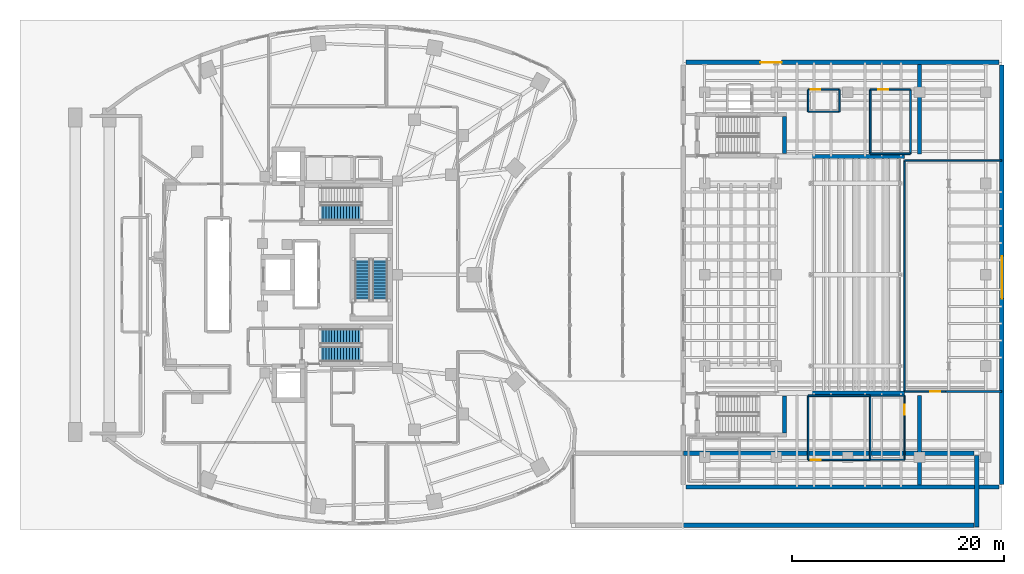
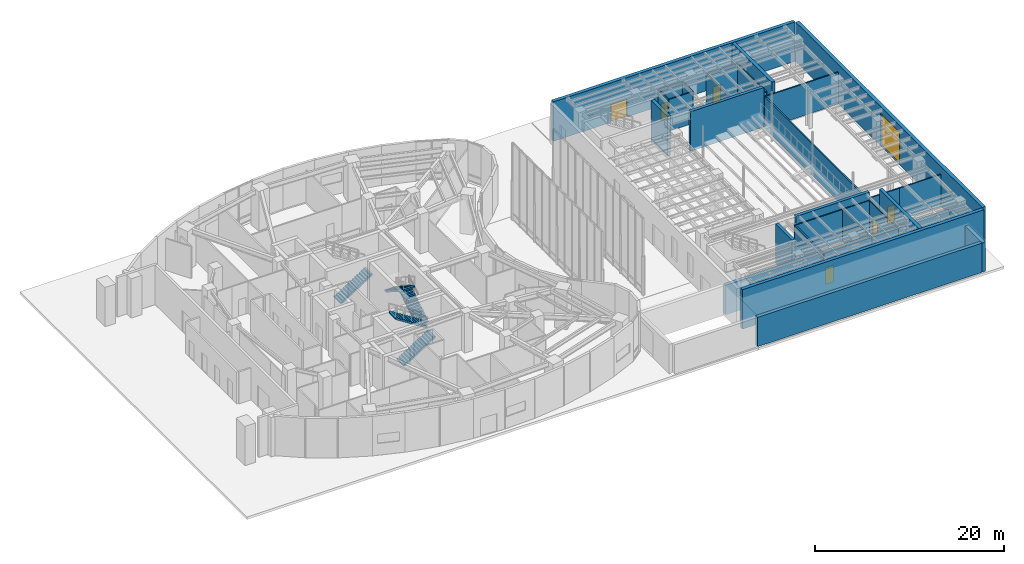
# One storey, part 22 of 28: 31 walls, 7 doors, 5 stair flights, 7 openings, 3 elements without a shape of their own.
"""IFC4 building model written with IfcOpenShell, lengths in metres."""

from ifc_helpers import new_model, si_unit, direction, frame, frame_2d, origin, place, context, subcontext, project, spatial, polyline, rectangle, outline, extrude, material, layer, layer_set, type_object, element, fill, aggregate, save


model = new_model("IFC4")

# Units and contexts
model_context = context("Model", 3, precision=1e-05, world=origin(), true_north=direction((0.0, 1.0)))
body_context = subcontext(model_context, "Body", "Model", "MODEL_VIEW")
ifc_project = project(units=[si_unit("LENGTHUNIT", "METRE"), si_unit("AREAUNIT", "SQUARE_METRE"), si_unit("VOLUMEUNIT", "CUBIC_METRE"), si_unit("PLANEANGLEUNIT", "RADIAN"), si_unit("MASSUNIT", "GRAM", prefix="KILO")], contexts=[model_context])

# Site, building, storey
site_placement = place(None, origin())
site = spatial("IfcSite", under=ifc_project, at=site_placement, CompositionType="ELEMENT")
building_placement = place(site_placement, origin())
building = spatial("IfcBuilding", under=site, at=building_placement, Name="Korentha Bioscience Tower", CompositionType="ELEMENT")
storey_placement = place(building_placement, origin())
storey = spatial("IfcBuildingStorey", under=building, at=storey_placement, Name="L00", CompositionType="ELEMENT", Elevation=0.0)

# Wall, opening, door
ifc_material_1 = material(Name="Double-Stud Acoustic Gypsum", Category="gypsum")
ifc_layer_1 = layer(ifc_material_1, 0.14990234375, Name="Double-Stud Acoustic Gypsum")
ifc_layer_set_1 = layer_set([ifc_layer_1], Name="Double-Stud Acoustic Gypsum (IW-L150)")
wall_type_1 = type_object("IfcWallType", Name="Acoustic Laboratory Partition Wall 150", PredefinedType="PARTITIONING", material=ifc_layer_set_1)
wall_1_placement = place(storey_placement, frame((82.10009765625, 9.56005859375, 0.0), z_axis=(0.0, 0.0, 1.0), x_axis=(-1.0, 0.0, 0.0)))
wall_1 = element("IfcWall", 1, at=wall_1_placement, inside=storey, type_object=wall_type_1, Name="L00 L00 Soloists' Dressing Suite Entrance Wall", PredefinedType="PARTITIONING", context=body_context, shape_type="SweptSolid", body=[
    extrude(rectangle(XDim=5.85009765625, YDim=0.14990234375, at=frame_2d((2.925048828125, 0.0))), origin(), (0.0, 0.0, 1.0), 4.110107421875),
])
opening_1_placement = place(wall_1_placement, frame((4.659912109375, 0.0, 0.0)))
opening_1 = element("IfcOpeningElement", 2, at=opening_1_placement, cuts=wall_1, Name="Opening ID-10R", PredefinedType="OPENING", context=body_context, shape_type="SweptSolid", body=[
    extrude(rectangle(XDim=0.949951171875, YDim=2.14990234375, at=frame_2d((0.47509765625, 1.074951171875))), frame((0.0, 0.08984375, 0.0), z_axis=(0.0, -1.0, 0.0), x_axis=(1.0, 0.0, 0.0)), (0.0, 0.0, 1.0), 0.1796875),
])
ifc_material_2 = material(Name="Phenolic Laminate Timber Core", Category="wood")
door_type_1 = type_object("IfcDoorType", Name="Laboratory Single Leaf Door 950x2150 Right", OperationType="SINGLE_SWING_RIGHT", PredefinedType="DOOR", material=ifc_material_2)
door_1_placement = place(opening_1_placement, origin())
door_1 = element("IfcDoor", 3, at=door_1_placement, inside=storey, type_object=door_type_1, Name="L00 L00 Soloists' Dressing Suite Door", OperationType="SINGLE_SWING_RIGHT", OverallHeight=2.14990234375, OverallWidth=0.949951171875, PredefinedType="DOOR", context=body_context, shape_type="SweptSolid", body=[
    extrude(rectangle(XDim=0.949951171875, YDim=2.14990234375, at=frame_2d((0.47509765625, 1.074951171875))), frame((0.0, 0.02490234375, 0.0), z_axis=(0.0, -1.0, 0.0), x_axis=(1.0, 0.0, 0.0)), (0.0, 0.0, 1.0), 0.050048828125),
])
fill(opening_1, door_1)

wall_2_placement = place(storey_placement, frame((89.199951171875, 16.010009765625, 0.0), z_axis=(0.0, 0.0, 1.0), x_axis=(-1.0, 0.0, 0.0)))
wall_2 = element("IfcWall", 4, at=wall_2_placement, inside=storey, type_object=wall_type_1, Name="L00 Main Lyric Auditorium Stage and Orchestra Pit Entrance Wall", PredefinedType="PARTITIONING", context=body_context, shape_type="SweptSolid", body=[
    extrude(rectangle(XDim=3.849853515625, YDim=0.14990234375, at=frame_2d((1.9248046875, 0.0))), origin(), (0.0, 0.0, 1.0), 4.110107421875),
])
opening_2_placement = place(wall_2_placement, frame((0.493408203125, 0.0, 0.0)))
opening_2 = element("IfcOpeningElement", 5, at=opening_2_placement, cuts=wall_2, Name="Opening ID-10L", PredefinedType="OPENING", context=body_context, shape_type="SweptSolid", body=[
    extrude(rectangle(XDim=0.949951171875, YDim=2.14990234375, at=frame_2d((0.47509765625, 1.074951171875))), frame((0.0, 0.08984375, 0.0), z_axis=(0.0, -1.0, 0.0), x_axis=(1.0, 0.0, 0.0)), (0.0, 0.0, 1.0), 0.1796875),
])
door_type_2 = type_object("IfcDoorType", Name="Laboratory Single Leaf Door 950x2150 Left", OperationType="SINGLE_SWING_LEFT", PredefinedType="DOOR", material=ifc_material_2)
door_2_placement = place(opening_2_placement, origin())
door_2 = element("IfcDoor", 6, at=door_2_placement, inside=storey, type_object=door_type_2, Name="L00 Main Lyric Auditorium Stage and Orchestra Pit Door", OperationType="SINGLE_SWING_LEFT", OverallHeight=2.14990234375, OverallWidth=0.949951171875, PredefinedType="DOOR", context=body_context, shape_type="SweptSolid", body=[
    extrude(rectangle(XDim=0.949951171875, YDim=2.14990234375, at=frame_2d((0.47509765625, 1.074951171875))), frame((0.0, 0.02490234375, 0.0), z_axis=(0.0, -1.0, 0.0), x_axis=(1.0, 0.0, 0.0)), (0.0, 0.0, 1.0), 0.050048828125),
])
fill(opening_2, door_2)

# Walls
for number, where, z_axis, x_axis, name in (
    (7, (82.10009765625, 15.60009765625, 0.0), (0.0, 0.0, 1.0), (0.0, -1.0, 0.0), "L00 Interior Partition 060"),
    (8, (76.25, 9.56005859375, 0.0), (0.0, 0.0, 1.0), (0.0, 1.0, 0.0), "L00 Interior Partition 061"),
):
    element("IfcWall", number, at=place(storey_placement, frame(where, z_axis=z_axis, x_axis=x_axis)), inside=storey, type_object=wall_type_1, Name=name, PredefinedType="PARTITIONING", context=body_context, shape_type="SweptSolid", body=[
        extrude(rectangle(XDim=6.0400390625, YDim=0.14990234375, at=frame_2d((3.02001953125, 0.0))), origin(), (0.0, 0.0, 1.0), 4.110107421875),
    ])
wall_3_placement = place(storey_placement, frame((76.25, 15.60009765625, 0.0), z_axis=(0.0, 0.0, 1.0), x_axis=(1.0, 0.0, 0.0)))
element("IfcWall", 9, at=wall_3_placement, inside=storey, type_object=wall_type_1, Name="L00 Interior Partition 062", PredefinedType="PARTITIONING", context=body_context, shape_type="SweptSolid", body=[
    extrude(rectangle(XDim=5.85009765625, YDim=0.14990234375, at=frame_2d((2.925048828125, 0.0))), origin(), (0.0, 0.0, 1.0), 4.110107421875),
])
wall_4_placement = place(storey_placement, frame((94.47998046875, 16.0, 0.0), z_axis=(0.0, 0.0, 1.0), x_axis=(-1.0, 0.0, 0.0)))
element("IfcWall", 10, at=wall_4_placement, inside=storey, type_object=wall_type_1, Name="L00 Interior Partition 068", PredefinedType="PARTITIONING", context=body_context, shape_type="SweptSolid", body=[
    extrude(rectangle(XDim=5.27001953125, YDim=0.14990234375, at=frame_2d((2.635009765625, 0.0))), origin(), (0.0, 0.0, 1.0), 4.110107421875),
])
wall_5_placement = place(storey_placement, frame((85.35009765625, 16.010009765625, 0.0), z_axis=(0.0, 0.0, 1.0), x_axis=(0.0, 1.0, 0.0)))
element("IfcWall", 11, at=wall_5_placement, inside=storey, type_object=wall_type_1, Name="L00 Interior Partition 069", PredefinedType="PARTITIONING", context=body_context, shape_type="SweptSolid", body=[
    extrude(rectangle(XDim=21.739990234375, YDim=0.14990234375, at=frame_2d((10.8701171875, 0.0))), origin(), (0.0, 0.0, 1.0), 4.110107421875),
])
wall_6_placement = place(storey_placement, frame((85.35009765625, 37.75, 0.0), z_axis=(0.0, 0.0, 1.0), x_axis=(1.0, 0.0, 0.0)))
element("IfcWall", 12, at=wall_6_placement, inside=storey, type_object=wall_type_1, Name="L00 Interior Partition 070", PredefinedType="PARTITIONING", context=body_context, shape_type="SweptSolid", body=[
    extrude(rectangle(XDim=9.1298828125, YDim=0.14990234375, at=frame_2d((4.56494140625, 0.0))), origin(), (0.0, 0.0, 1.0), 4.110107421875),
])

# Wall, opening, door
ifc_material_3 = material(Name="Fire-Rated Framed Glass", Category="glass")
ifc_layer_2 = layer(ifc_material_3, 0.110107421875, Name="Fire-Rated Framed Glass")
ifc_layer_set_2 = layer_set([ifc_layer_2], Name="Fire-Rated Framed Glass (IW-G110)")
wall_type_2 = type_object("IfcWallType", Name="Demountable Glazed Office Partition 110", PredefinedType="MOVABLE", material=ifc_layer_set_2)
wall_7_placement = place(storey_placement, frame((85.340087890625, 15.60009765625, 0.0), z_axis=(0.0, 0.0, 1.0), x_axis=(0.0, -1.0, 0.0)))
wall_7 = element("IfcWall", 13, at=wall_7_placement, inside=storey, type_object=wall_type_2, Name="L00 L00 Ensemble Rehearsal Studio Entrance Wall", PredefinedType="MOVABLE", context=body_context, shape_type="SweptSolid", body=[
    extrude(rectangle(XDim=6.0400390625, YDim=0.110107421875, at=frame_2d((3.02001953125, 0.0))), origin(), (0.0, 0.0, 1.0), 4.110107421875),
])
opening_3_placement = place(wall_7_placement, frame((0.84130859375, 0.0, 0.0)))
opening_3 = element("IfcOpeningElement", 14, at=opening_3_placement, cuts=wall_7, Name="Opening ID-10L", PredefinedType="OPENING", context=body_context, shape_type="SweptSolid", body=[
    extrude(rectangle(XDim=0.949951171875, YDim=2.14990234375, at=frame_2d((0.47509765625, 1.074951171875))), frame((0.0, 0.06982421875, 0.0), z_axis=(0.0, -1.0, 0.0), x_axis=(1.0, 0.0, 0.0)), (0.0, 0.0, 1.0), 0.139892578125),
])
door_3_placement = place(opening_3_placement, origin())
door_3 = element("IfcDoor", 15, at=door_3_placement, inside=storey, type_object=door_type_2, Name="L00 L00 Ensemble Rehearsal Studio Door", OperationType="SINGLE_SWING_LEFT", OverallHeight=2.14990234375, OverallWidth=0.949951171875, PredefinedType="DOOR", context=body_context, shape_type="SweptSolid", body=[
    extrude(rectangle(XDim=0.949951171875, YDim=2.14990234375, at=frame_2d((0.47509765625, 1.074951171875))), frame((0.0, 0.02490234375, 0.0), z_axis=(0.0, -1.0, 0.0), x_axis=(1.0, 0.0, 0.0)), (0.0, 0.0, 1.0), 0.050048828125),
])
fill(opening_3, door_3)

# Walls
for number, where, z_axis, x_axis, name in (
    (16, (85.340087890625, 9.56005859375, 0.0), (0.0, 0.0, 1.0), (-1.0, 0.0, 0.0), "L00 Interior Partition 063"),
    (17, (82.110107421875, 15.60009765625, 0.0), (0.0, 0.0, 1.0), (1.0, 0.0, 0.0), "L00 Interior Partition 064"),
):
    element("IfcWall", number, at=place(storey_placement, frame(where, z_axis=z_axis, x_axis=x_axis)), inside=storey, type_object=wall_type_2, Name=name, PredefinedType="MOVABLE", context=body_context, shape_type="SweptSolid", body=[
        extrude(rectangle(XDim=3.22998046875, YDim=0.110107421875, at=frame_2d((1.614990234375, 0.0))), origin(), (0.0, 0.0, 1.0), 4.110107421875),
    ])

# Wall, opening, door
ifc_material_4 = material(Name="Gypsum-Clad Steel Stud", Category="steel")
ifc_layer_3 = layer(ifc_material_4, 0.159912109375, Name="Gypsum-Clad Steel Stud")
ifc_layer_set_3 = layer_set([ifc_layer_3], Name="Gypsum-Clad Steel Stud (IW-C160)")
wall_type_3 = type_object("IfcWallType", Name="Fire-Rated Corridor Partition Wall 160", PredefinedType="PARTITIONING", material=ifc_layer_set_3)
wall_8_placement = place(storey_placement, frame((82.10009765625, 44.43994140625, 0.0), z_axis=(0.0, 0.0, 1.0), x_axis=(1.0, 0.0, 0.0)))
wall_8 = element("IfcWall", 18, at=wall_8_placement, inside=storey, type_object=wall_type_3, Name="L00 L00 Stage Lighting Dimmer Store Entrance Wall", PredefinedType="PARTITIONING", context=body_context, shape_type="SweptSolid", body=[
    extrude(rectangle(XDim=3.7998046875, YDim=0.159912109375, at=frame_2d((1.89990234375, 0.0))), origin(), (0.0, 0.0, 1.0), 4.110107421875),
])
opening_4_placement = place(wall_8_placement, frame((0.755615234375, 0.0, 0.0)))
opening_4 = element("IfcOpeningElement", 19, at=opening_4_placement, cuts=wall_8, Name="Opening ID-10R", PredefinedType="OPENING", context=body_context, shape_type="SweptSolid", body=[
    extrude(rectangle(XDim=0.949951171875, YDim=2.14990234375, at=frame_2d((0.47509765625, 1.074951171875))), frame((0.0, 0.0947265625, 0.0), z_axis=(0.0, -1.0, 0.0), x_axis=(1.0, 0.0, 0.0)), (0.0, 0.0, 1.0), 0.189697265625),
])
door_4_placement = place(opening_4_placement, origin())
door_4 = element("IfcDoor", 20, at=door_4_placement, inside=storey, type_object=door_type_1, Name="L00 L00 Stage Lighting Dimmer Store Door", OperationType="SINGLE_SWING_RIGHT", OverallHeight=2.14990234375, OverallWidth=0.949951171875, PredefinedType="DOOR", context=body_context, shape_type="SweptSolid", body=[
    extrude(rectangle(XDim=0.949951171875, YDim=2.14990234375, at=frame_2d((0.47509765625, 1.074951171875))), frame((0.0, 0.02490234375, 0.0), z_axis=(0.0, -1.0, 0.0), x_axis=(1.0, 0.0, 0.0)), (0.0, 0.0, 1.0), 0.050048828125),
])
fill(opening_4, door_4)

# Walls
wall_9_placement = place(storey_placement, frame((85.89990234375, 38.39990234375, 0.0), z_axis=(0.0, 0.0, 1.0), x_axis=(-1.0, 0.0, 0.0)))
element("IfcWall", 21, at=wall_9_placement, inside=storey, type_object=wall_type_3, Name="L00 Interior Partition 065", PredefinedType="PARTITIONING", context=body_context, shape_type="SweptSolid", body=[
    extrude(rectangle(XDim=3.7998046875, YDim=0.159912109375, at=frame_2d((1.89990234375, 0.0))), origin(), (0.0, 0.0, 1.0), 4.110107421875),
])
for number, where, z_axis, x_axis, name in (
    (22, (82.10009765625, 38.39990234375, 0.0), (0.0, 0.0, 1.0), (0.0, 1.0, 0.0), "L00 Interior Partition 066"),
    (23, (85.89990234375, 44.43994140625, 0.0), (0.0, 0.0, 1.0), (0.0, -1.0, 0.0), "L00 Interior Partition 067"),
):
    element("IfcWall", number, at=place(storey_placement, frame(where, z_axis=z_axis, x_axis=x_axis)), inside=storey, type_object=wall_type_3, Name=name, PredefinedType="PARTITIONING", context=body_context, shape_type="SweptSolid", body=[
        extrude(rectangle(XDim=6.0400390625, YDim=0.159912109375, at=frame_2d((3.02001953125, 0.0))), origin(), (0.0, 0.0, 1.0), 4.110107421875),
    ])
ifc_material_5 = material(Name="Concrete C50", Category="concrete")
ifc_layer_4 = layer(ifc_material_5, 0.419921875, Name="Concrete C50")
ifc_layer_set_4 = layer_set([ifc_layer_4], Name="Concrete C50 (TW-E420)")
wall_type_4 = type_object("IfcWallType", Name="Theatre Acoustic Shear Wall 420", PredefinedType="SHEAR", material=ifc_layer_set_4)
for number, where, z_axis, x_axis, name in (
    (24, (64.5, 10.199951171875, 0.0), (0.0, 0.0, 1.0), (1.0, 0.0, 0.0), "L00 Vehicle Ramp Enclosure Wall NE"),
    (25, (64.5, 3.39990234375, 0.0), (0.0, 0.0, 1.0), (1.0, 0.0, 0.0), "L00 Vehicle Ramp Enclosure Wall SE"),
):
    element("IfcWall", number, at=place(storey_placement, frame(where, z_axis=z_axis, x_axis=x_axis)), inside=storey, type_object=wall_type_4, Name=name, PredefinedType="SHEAR", context=body_context, shape_type="SweptSolid", body=[
        extrude(rectangle(XDim=27.39990234375, YDim=0.419921875, at=frame_2d((13.699951171875, 0.0))), origin(), (0.0, 0.0, 1.0), 3.800048828125),
    ])
wall_10_placement = place(storey_placement, frame((92.14990234375, 3.22509765625, 0.0), z_axis=(0.0, 0.0, 1.0), x_axis=(0.0, 1.0, 0.0)))
element("IfcWall", 26, at=wall_10_placement, inside=storey, type_object=wall_type_4, Name="L00 Vehicle Ramp Enclosure Wall E", PredefinedType="SHEAR", context=body_context, shape_type="SweptSolid", body=[
    extrude(rectangle(XDim=6.724853515625, YDim=0.419921875, at=frame_2d((3.3623046875, 0.0))), origin(), (0.0, 0.0, 1.0), 3.800048828125),
])

# Wall, opening, door
wall_11_placement = place(storey_placement, frame((64.75, 47.0, 0.0), z_axis=(0.0, 0.0, 1.0), x_axis=(1.0, 0.0, 0.0)))
wall_11 = element("IfcWall", 27, at=wall_11_placement, inside=storey, type_object=wall_type_4, Name="L00 Theatre Acoustic Shear Wall N", PredefinedType="SHEAR", context=body_context, shape_type="SweptSolid", body=[
    extrude(rectangle(XDim=29.5, YDim=0.419921875, at=frame_2d((14.75, 0.0))), origin(), (0.0, 0.0, 1.0), 5.10009765625),
])
opening_5_placement = place(wall_11_placement, frame((7.0, 0.0, 0.0)))
opening_5 = element("IfcOpeningElement", 28, at=opening_5_placement, cuts=wall_11, Name="Opening ED-20F", PredefinedType="OPENING", context=body_context, shape_type="SweptSolid", body=[
    extrude(rectangle(XDim=2.0, YDim=2.300048828125, at=frame_2d((1.0, 1.14990234375))), frame((0.0, 0.224853515625, 0.0), z_axis=(0.0, -1.0, 0.0), x_axis=(1.0, 0.0, 0.0)), (0.0, 0.0, 1.0), 0.44970703125),
])
ifc_material_6 = material(Name="Powder-Coated Steel Leaf", Category="steel")
door_type_3 = type_object("IfcDoorType", Name="Fire Exit Discharge Double Door 2000x2300", OperationType="DOUBLE_DOOR_SINGLE_SWING", PredefinedType="DOOR", material=ifc_material_6)
door_5_placement = place(opening_5_placement, origin())
door_5 = element("IfcDoor", 29, at=door_5_placement, inside=storey, type_object=door_type_3, Name="Civic Theatre North Foyer Final Exit Door", OperationType="DOUBLE_DOOR_SINGLE_SWING", OverallHeight=2.300048828125, OverallWidth=2.0, PredefinedType="DOOR", context=body_context, shape_type="SweptSolid", body=[
    extrude(rectangle(XDim=2.0, YDim=2.300048828125, at=frame_2d((1.0, 1.14990234375))), frame((0.0, 0.02490234375, 0.0), z_axis=(0.0, -1.0, 0.0), x_axis=(1.0, 0.0, 0.0)), (0.0, 0.0, 1.0), 0.050048828125),
])
fill(opening_5, door_5)

wall_12_placement = place(storey_placement, frame((94.5, 46.75, 0.0), z_axis=(0.0, 0.0, 1.0), x_axis=(0.0, -1.0, 0.0)))
wall_12 = element("IfcWall", 30, at=wall_12_placement, inside=storey, type_object=wall_type_4, Name="L00 Theatre Acoustic Shear Wall E", PredefinedType="SHEAR", context=body_context, shape_type="SweptSolid", body=[
    extrude(rectangle(XDim=39.5, YDim=0.419921875, at=frame_2d((19.75, 0.0))), origin(), (0.0, 0.0, 1.0), 5.10009765625),
])
opening_6_placement = place(wall_12_placement, frame((18.0, 0.0, 0.0)))
opening_6 = element("IfcOpeningElement", 31, at=opening_6_placement, cuts=wall_12, Name="Opening RS-40", PredefinedType="OPENING", context=body_context, shape_type="SweptSolid", body=[
    extrude(rectangle(XDim=4.0, YDim=4.199951171875, at=frame_2d((2.0, 2.10009765625))), frame((0.0, 0.224853515625, 0.0), z_axis=(0.0, -1.0, 0.0), x_axis=(1.0, 0.0, 0.0)), (0.0, 0.0, 1.0), 0.44970703125),
])
ifc_material_7 = material(Name="Insulated Aluminium Roller Slats", Category="aluminium")
door_type_4 = type_object("IfcDoorType", Name="Roller Shutter Loading Bay Door 4000x4200", OperationType="ROLLINGUP", PredefinedType="DOOR", material=ifc_material_7)
door_6_placement = place(opening_6_placement, origin())
door_6 = element("IfcDoor", 32, at=door_6_placement, inside=storey, type_object=door_type_4, Name="Civic Theatre Stage Scenery Loading Roller Shutter", OperationType="ROLLINGUP", OverallHeight=4.199951171875, OverallWidth=4.0, PredefinedType="DOOR", context=body_context, shape_type="SweptSolid", body=[
    extrude(rectangle(XDim=4.0, YDim=4.199951171875, at=frame_2d((2.0, 2.10009765625))), frame((0.0, 0.02490234375, 0.0), z_axis=(0.0, -1.0, 0.0), x_axis=(1.0, 0.0, 0.0)), (0.0, 0.0, 1.0), 0.050048828125),
])
fill(opening_6, door_6)

# Walls
wall_13_placement = place(storey_placement, frame((94.25, 7.0, 0.0), z_axis=(0.0, 0.0, 1.0), x_axis=(-1.0, 0.0, 0.0)))
element("IfcWall", 33, at=wall_13_placement, inside=storey, type_object=wall_type_4, Name="L00 Theatre Acoustic Shear Wall S", PredefinedType="SHEAR", context=body_context, shape_type="SweptSolid", body=[
    extrude(rectangle(XDim=29.5, YDim=0.419921875, at=frame_2d((14.75, 0.0))), origin(), (0.0, 0.0, 1.0), 5.10009765625),
])
ifc_layer_5 = layer(ifc_material_5, 0.3798828125, Name="Concrete C50")
ifc_layer_set_5 = layer_set([ifc_layer_5], Name="Concrete C50 (TW-I380)")
wall_type_5 = type_object("IfcWallType", Name="Theatre Proscenium Shear Wall 380", PredefinedType="SHEAR", material=ifc_layer_set_5)
for number, where, z_axis, x_axis, name in (
    (34, (86.75, 38.3798828125, 0.0), (0.0, 0.0, 1.0), (0.0, 1.0, 0.0), "L00 Theatre Shear Wall PROSC-N"),
    (35, (86.75, 7.2099609375, 0.0), (0.0, 0.0, 1.0), (0.0, 1.0, 0.0), "L00 Theatre Shear Wall PROSC-S"),
):
    element("IfcWall", number, at=place(storey_placement, frame(where, z_axis=z_axis, x_axis=x_axis)), inside=storey, type_object=wall_type_5, Name=name, PredefinedType="SHEAR", context=body_context, shape_type="SweptSolid", body=[
        extrude(rectangle(XDim=8.41015625, YDim=0.3798828125, at=frame_2d((4.205078125, 0.0))), origin(), (0.0, 0.0, 1.0), 5.10009765625),
    ])
for number, where, z_axis, x_axis, name in (
    (36, (76.39990234375, 15.85009765625, 0.0), (0.0, 0.0, 1.0), (1.0, 0.0, 0.0), "L00 Theatre Shear Wall ACSH-S1"),
    (37, (76.39990234375, 38.14990234375, 0.0), (0.0, 0.0, 1.0), (1.0, 0.0, 0.0), "L00 Theatre Shear Wall ACSH-N1"),
):
    element("IfcWall", number, at=place(storey_placement, frame(where, z_axis=z_axis, x_axis=x_axis)), inside=storey, type_object=wall_type_5, Name=name, PredefinedType="SHEAR", context=body_context, shape_type="SweptSolid", body=[
        extrude(rectangle(XDim=8.9501953125, YDim=0.3798828125, at=frame_2d((4.47509765625, 0.0))), origin(), (0.0, 0.0, 1.0), 5.10009765625),
    ])
for number, where, z_axis, x_axis, name in (
    (38, (74.0400390625, 12.110107421875, 0.0), (0.0, 0.0, 1.0), (0.0, 1.0, 0.0), "L00 Theatre Shear Wall STT1-E"),
    (39, (74.0400390625, 38.409912109375, 0.0), (0.0, 0.0, 1.0), (0.0, 1.0, 0.0), "L00 Theatre Shear Wall STT2-E"),
):
    element("IfcWall", number, at=place(storey_placement, frame(where, z_axis=z_axis, x_axis=x_axis)), inside=storey, type_object=wall_type_5, Name=name, PredefinedType="SHEAR", context=body_context, shape_type="SweptSolid", body=[
        extrude(rectangle(XDim=3.47998046875, YDim=0.3798828125, at=frame_2d((1.739990234375, 0.0))), origin(), (0.0, 0.0, 1.0), 5.10009765625),
    ])

# Wall, opening, door
ifc_material_8 = material(Name="Cement-Board Steel Stud", Category="steel")
ifc_layer_6 = layer(ifc_material_8, 0.1298828125, Name="Cement-Board Steel Stud")
ifc_layer_set_6 = layer_set([ifc_layer_6], Name="Cement-Board Steel Stud (IW-W130)")
wall_type_6 = type_object("IfcWallType", Name="Wet-Area Moisture-Resistant Partition 130", PredefinedType="PARTITIONING", material=ifc_layer_set_6)
wall_14_placement = place(storey_placement, frame((76.25, 44.43994140625, 0.0), z_axis=(0.0, 0.0, 1.0), x_axis=(1.0, 0.0, 0.0)))
wall_14 = element("IfcWall", 40, at=wall_14_placement, inside=storey, type_object=wall_type_6, Name="L00 L00 Theatre Accessible WC Entrance Wall", PredefinedType="PARTITIONING", context=body_context, shape_type="SweptSolid", body=[
    extrude(rectangle(XDim=2.949951171875, YDim=0.1298828125, at=frame_2d((1.47509765625, 0.0))), origin(), (0.0, 0.0, 1.0), 4.110107421875),
])
opening_7_placement = place(wall_14_placement, frame((0.239990234375, 0.0, 0.0)))
opening_7 = element("IfcOpeningElement", 41, at=opening_7_placement, cuts=wall_14, Name="Opening ID-09L", PredefinedType="OPENING", context=body_context, shape_type="SweptSolid", body=[
    extrude(rectangle(XDim=0.89990234375, YDim=2.14990234375, at=frame_2d((0.449951171875, 1.074951171875))), frame((0.0, 0.079833984375, 0.0), z_axis=(0.0, -1.0, 0.0), x_axis=(1.0, 0.0, 0.0)), (0.0, 0.0, 1.0), 0.15966796875),
])
ifc_material_9 = material(Name="Moisture-Resistant HPL Leaf", Category="wood")
door_type_5 = type_object("IfcDoorType", Name="Restroom & Accessible WC Door 900x2150 Left", OperationType="SINGLE_SWING_LEFT", PredefinedType="DOOR", material=ifc_material_9)
door_7_placement = place(opening_7_placement, origin())
door_7 = element("IfcDoor", 42, at=door_7_placement, inside=storey, type_object=door_type_5, Name="L00 L00 Theatre Accessible WC Door", OperationType="SINGLE_SWING_LEFT", OverallHeight=2.14990234375, OverallWidth=0.89990234375, PredefinedType="DOOR", context=body_context, shape_type="SweptSolid", body=[
    extrude(rectangle(XDim=0.89990234375, YDim=2.14990234375, at=frame_2d((0.449951171875, 1.074951171875))), frame((0.0, 0.02490234375, 0.0), z_axis=(0.0, -1.0, 0.0), x_axis=(1.0, 0.0, 0.0)), (0.0, 0.0, 1.0), 0.050048828125),
])
fill(opening_7, door_7)

# Walls
wall_15_placement = place(storey_placement, frame((79.199951171875, 42.35009765625, 0.0), z_axis=(0.0, 0.0, 1.0), x_axis=(-1.0, 0.0, 0.0)))
element("IfcWall", 43, at=wall_15_placement, inside=storey, type_object=wall_type_6, Name="L00 Interior Partition 057", PredefinedType="PARTITIONING", context=body_context, shape_type="SweptSolid", body=[
    extrude(rectangle(XDim=2.949951171875, YDim=0.1298828125, at=frame_2d((1.47509765625, 0.0))), origin(), (0.0, 0.0, 1.0), 4.110107421875),
])
for number, where, z_axis, x_axis, name in (
    (44, (76.25, 42.35009765625, 0.0), (0.0, 0.0, 1.0), (0.0, 1.0, 0.0), "L00 Interior Partition 058"),
    (45, (79.199951171875, 44.43994140625, 0.0), (0.0, 0.0, 1.0), (0.0, -1.0, 0.0), "L00 Interior Partition 059"),
):
    element("IfcWall", number, at=place(storey_placement, frame(where, z_axis=z_axis, x_axis=x_axis)), inside=storey, type_object=wall_type_6, Name=name, PredefinedType="PARTITIONING", context=body_context, shape_type="SweptSolid", body=[
        extrude(rectangle(XDim=2.08984375, YDim=0.1298828125, at=frame_2d((1.044921875, 0.0))), origin(), (0.0, 0.0, 1.0), 4.110107421875),
    ])

# Stair, stair flight
ifc_material_10 = material(Name="Precast Concrete C50", Category="concrete")
stair_type = type_object("IfcStairType", Name="Core Exit Dog-Leg Stair 1450", PredefinedType="HALF_TURN_STAIR", material=ifc_material_10)
stair_1_placement = place(storey_placement, origin())
stair_1 = element("IfcStair", 46, at=stair_1_placement, inside=storey, type_object=stair_type, Name="L00 Tower North Pressurized Exit Stair ST-1", PredefinedType="HALF_TURN_STAIR")
stair_flight_type = type_object("IfcStairFlightType", Name="Core Exit Dog-Leg Stair 1450 Flight", PredefinedType="STRAIGHT", material=ifc_material_10)
stair_flight_1_placement = place(storey_placement, frame((30.25, 32.824951171875, 0.0), z_axis=(0.0, 0.0, 1.0), x_axis=(1.0, 0.0, 0.0)))
stair_flight_1 = element("IfcStairFlight", 47, at=stair_flight_1_placement, type_object=stair_flight_type, Name="ST-1 flight 1", NumberOfRisers=15, NumberOfTreads=14, PredefinedType="STRAIGHT", RiserHeight=0.18, TreadLength=0.28, context=body_context, shape_type="SweptSolid", body=[
    extrude(outline(polyline([(0.0, 0.0), (0.0, 0.179931640625), (0.280029296875, 0.179931640625), (0.280029296875, 0.360107421875), (0.56005859375, 0.360107421875), (0.56005859375, 0.5400390625), (0.840087890625, 0.5400390625), (0.840087890625, 0.719970703125), (1.1201171875, 0.719970703125), (1.1201171875, 0.89990234375), (1.39990234375, 0.89990234375), (1.39990234375, 1.080078125), (1.679931640625, 1.080078125), (1.679931640625, 1.260009765625), (1.9599609375, 1.260009765625), (1.9599609375, 1.43994140625), (2.239990234375, 1.43994140625), (2.239990234375, 1.6201171875), (2.52001953125, 1.6201171875), (2.52001953125, 1.800048828125), (2.800048828125, 1.800048828125), (2.800048828125, 1.97998046875), (3.080078125, 1.97998046875), (3.080078125, 2.159912109375), (3.360107421875, 2.159912109375), (3.360107421875, 2.340087890625), (3.639892578125, 2.340087890625), (3.639892578125, 2.52001953125), (3.919921875, 2.52001953125), (3.919921875, 2.699951171875), (3.919921875, 2.329833984375), (0.295654296875, 0.0), (0.0, 0.0)])), frame((0.0, 0.72509765625, 0.0), z_axis=(0.0, -1.0, 0.0), x_axis=(1.0, 0.0, 0.0)), (0.0, 0.0, 1.0), 1.449951171875),
])
aggregate(stair_1, [stair_flight_1])

# Stair, stair flights
stair_2_placement = place(storey_placement, origin())
stair_2 = element("IfcStair", 48, at=stair_2_placement, inside=storey, type_object=stair_type, Name="L00 Tower South Pressurized Exit Stair ST-2", PredefinedType="HALF_TURN_STAIR")
stair_flight_2_placement = place(storey_placement, frame((30.25, 19.52490234375, 0.0), z_axis=(0.0, 0.0, 1.0), x_axis=(1.0, 0.0, 0.0)))
stair_flight_2 = element("IfcStairFlight", 49, at=stair_flight_2_placement, type_object=stair_flight_type, Name="ST-2 flight 1", NumberOfRisers=15, NumberOfTreads=14, PredefinedType="STRAIGHT", RiserHeight=0.18, TreadLength=0.28, context=body_context, shape_type="SweptSolid", body=[
    extrude(outline(polyline([(0.0, 0.0), (0.0, 0.179931640625), (0.280029296875, 0.179931640625), (0.280029296875, 0.360107421875), (0.56005859375, 0.360107421875), (0.56005859375, 0.5400390625), (0.840087890625, 0.5400390625), (0.840087890625, 0.719970703125), (1.1201171875, 0.719970703125), (1.1201171875, 0.89990234375), (1.39990234375, 0.89990234375), (1.39990234375, 1.080078125), (1.679931640625, 1.080078125), (1.679931640625, 1.260009765625), (1.9599609375, 1.260009765625), (1.9599609375, 1.43994140625), (2.239990234375, 1.43994140625), (2.239990234375, 1.6201171875), (2.52001953125, 1.6201171875), (2.52001953125, 1.800048828125), (2.800048828125, 1.800048828125), (2.800048828125, 1.97998046875), (3.080078125, 1.97998046875), (3.080078125, 2.159912109375), (3.360107421875, 2.159912109375), (3.360107421875, 2.340087890625), (3.639892578125, 2.340087890625), (3.639892578125, 2.52001953125), (3.919921875, 2.52001953125), (3.919921875, 2.699951171875), (3.919921875, 2.329833984375), (0.295654296875, 0.0), (0.0, 0.0)])), frame((0.0, 0.72509765625, 0.0), z_axis=(0.0, -1.0, 0.0), x_axis=(1.0, 0.0, 0.0)), (0.0, 0.0, 1.0), 1.449951171875),
])
stair_flight_3_placement = place(storey_placement, frame((34.169921875, 21.175048828125, 2.699951171875), z_axis=(0.0, 0.0, 1.0), x_axis=(-1.0, 0.0, 0.0)))
stair_flight_3 = element("IfcStairFlight", 50, at=stair_flight_3_placement, type_object=stair_flight_type, Name="ST-2 flight 2", NumberOfRisers=15, NumberOfTreads=14, PredefinedType="STRAIGHT", RiserHeight=0.18, TreadLength=0.28, context=body_context, shape_type="SweptSolid", body=[
    extrude(outline(polyline([(0.0, 0.0), (0.0, 0.179931640625), (0.280029296875, 0.179931640625), (0.280029296875, 0.360107421875), (0.56005859375, 0.360107421875), (0.56005859375, 0.5400390625), (0.840087890625, 0.5400390625), (0.840087890625, 0.719970703125), (1.1201171875, 0.719970703125), (1.1201171875, 0.89990234375), (1.39990234375, 0.89990234375), (1.39990234375, 1.080078125), (1.679931640625, 1.080078125), (1.679931640625, 1.260009765625), (1.9599609375, 1.260009765625), (1.9599609375, 1.43994140625), (2.239990234375, 1.43994140625), (2.239990234375, 1.6201171875), (2.52001953125, 1.6201171875), (2.52001953125, 1.800048828125), (2.800048828125, 1.800048828125), (2.800048828125, 1.97998046875), (3.080078125, 1.97998046875), (3.080078125, 2.159912109375), (3.360107421875, 2.159912109375), (3.360107421875, 2.340087890625), (3.639892578125, 2.340087890625), (3.639892578125, 2.52001953125), (3.919921875, 2.52001953125), (3.919921875, 2.699951171875), (3.919921875, 2.329833984375), (0.295654296875, 0.0), (0.0, 0.0)])), frame((0.0, 0.72509765625, 0.0), z_axis=(0.0, -1.0, 0.0), x_axis=(1.0, 0.0, 0.0)), (0.0, 0.0, 1.0), 1.449951171875),
])
aggregate(stair_2, [stair_flight_2, stair_flight_3])

stair_3_placement = place(storey_placement, origin())
stair_3 = element("IfcStair", 51, at=stair_3_placement, inside=storey, type_object=stair_type, Name="L00 Tower Central Pressurized Exit Stair ST-3", PredefinedType="HALF_TURN_STAIR")
stair_flight_4_placement = place(storey_placement, frame((35.925048828125, 24.550048828125, 0.0), z_axis=(0.0, 0.0, 1.0), x_axis=(0.0, 1.0, 0.0)))
stair_flight_4 = element("IfcStairFlight", 52, at=stair_flight_4_placement, type_object=stair_flight_type, Name="ST-3 flight 1", NumberOfRisers=15, NumberOfTreads=14, PredefinedType="STRAIGHT", RiserHeight=0.18, TreadLength=0.28, context=body_context, shape_type="SweptSolid", body=[
    extrude(outline(polyline([(0.0, 0.0), (0.0, 0.179931640625), (0.280029296875, 0.179931640625), (0.280029296875, 0.360107421875), (0.56005859375, 0.360107421875), (0.56005859375, 0.5400390625), (0.840087890625, 0.5400390625), (0.840087890625, 0.719970703125), (1.1201171875, 0.719970703125), (1.1201171875, 0.89990234375), (1.39990234375, 0.89990234375), (1.39990234375, 1.080078125), (1.679931640625, 1.080078125), (1.679931640625, 1.260009765625), (1.9599609375, 1.260009765625), (1.9599609375, 1.43994140625), (2.239990234375, 1.43994140625), (2.239990234375, 1.6201171875), (2.52001953125, 1.6201171875), (2.52001953125, 1.800048828125), (2.800048828125, 1.800048828125), (2.800048828125, 1.97998046875), (3.080078125, 1.97998046875), (3.080078125, 2.159912109375), (3.360107421875, 2.159912109375), (3.360107421875, 2.340087890625), (3.639892578125, 2.340087890625), (3.639892578125, 2.52001953125), (3.919921875, 2.52001953125), (3.919921875, 2.699951171875), (3.919921875, 2.329833984375), (0.295654296875, 0.0), (0.0, 0.0)])), frame((0.0, 0.72509765625, 0.0), z_axis=(0.0, -1.0, 0.0), x_axis=(1.0, 0.0, 0.0)), (0.0, 0.0, 1.0), 1.449951171875),
])
stair_flight_5_placement = place(storey_placement, frame((34.27490234375, 28.469970703125, 2.699951171875), z_axis=(0.0, 0.0, 1.0), x_axis=(0.0, -1.0, 0.0)))
stair_flight_5 = element("IfcStairFlight", 53, at=stair_flight_5_placement, type_object=stair_flight_type, Name="ST-3 flight 2", NumberOfRisers=15, NumberOfTreads=14, PredefinedType="STRAIGHT", RiserHeight=0.18, TreadLength=0.28, context=body_context, shape_type="SweptSolid", body=[
    extrude(outline(polyline([(0.0, 0.0), (0.0, 0.179931640625), (0.280029296875, 0.179931640625), (0.280029296875, 0.360107421875), (0.56005859375, 0.360107421875), (0.56005859375, 0.5400390625), (0.840087890625, 0.5400390625), (0.840087890625, 0.719970703125), (1.1201171875, 0.719970703125), (1.1201171875, 0.89990234375), (1.39990234375, 0.89990234375), (1.39990234375, 1.080078125), (1.679931640625, 1.080078125), (1.679931640625, 1.260009765625), (1.9599609375, 1.260009765625), (1.9599609375, 1.43994140625), (2.239990234375, 1.43994140625), (2.239990234375, 1.6201171875), (2.52001953125, 1.6201171875), (2.52001953125, 1.800048828125), (2.800048828125, 1.800048828125), (2.800048828125, 1.97998046875), (3.080078125, 1.97998046875), (3.080078125, 2.159912109375), (3.360107421875, 2.159912109375), (3.360107421875, 2.340087890625), (3.639892578125, 2.340087890625), (3.639892578125, 2.52001953125), (3.919921875, 2.52001953125), (3.919921875, 2.699951171875), (3.919921875, 2.329833984375), (0.295654296875, 0.0), (0.0, 0.0)])), frame((0.0, 0.72509765625, 0.0), z_axis=(0.0, -1.0, 0.0), x_axis=(1.0, 0.0, 0.0)), (0.0, 0.0, 1.0), 1.449951171875),
])
aggregate(stair_3, [stair_flight_4, stair_flight_5])

save(model, "model.ifc")
